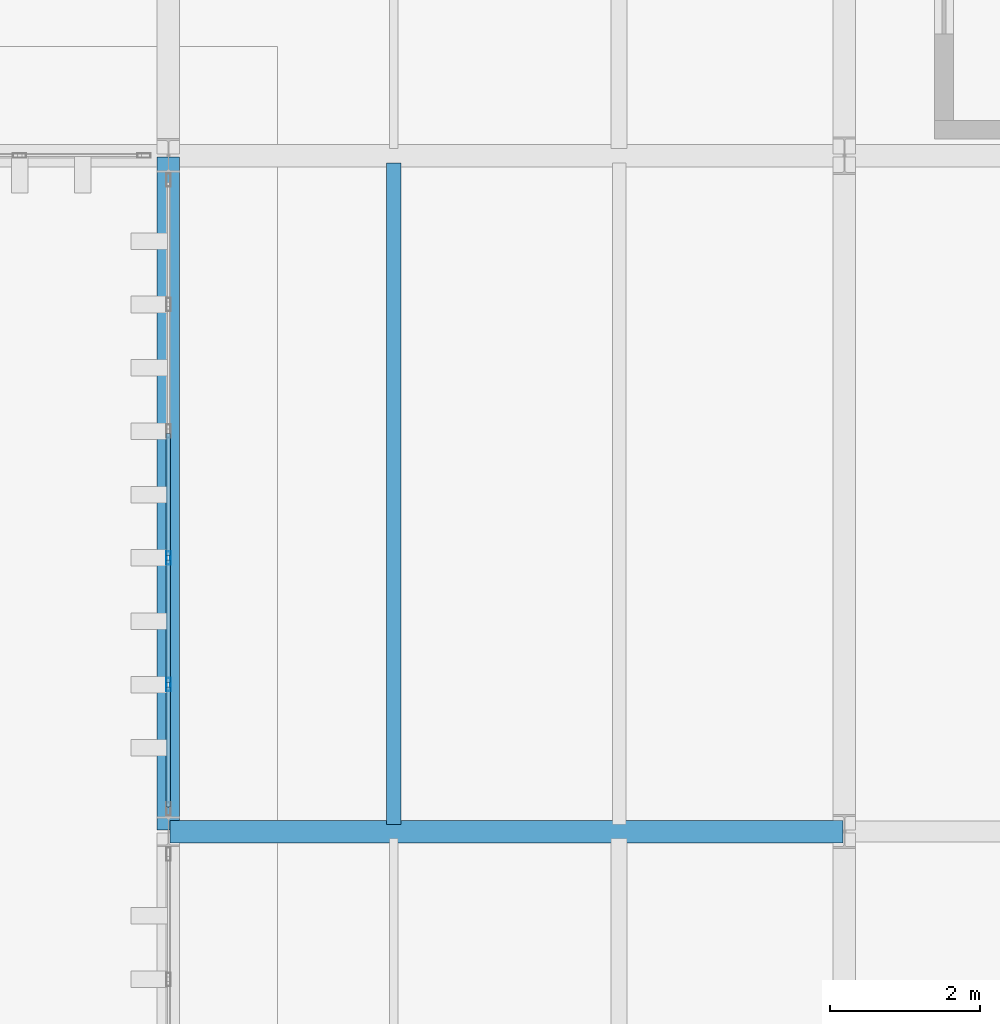
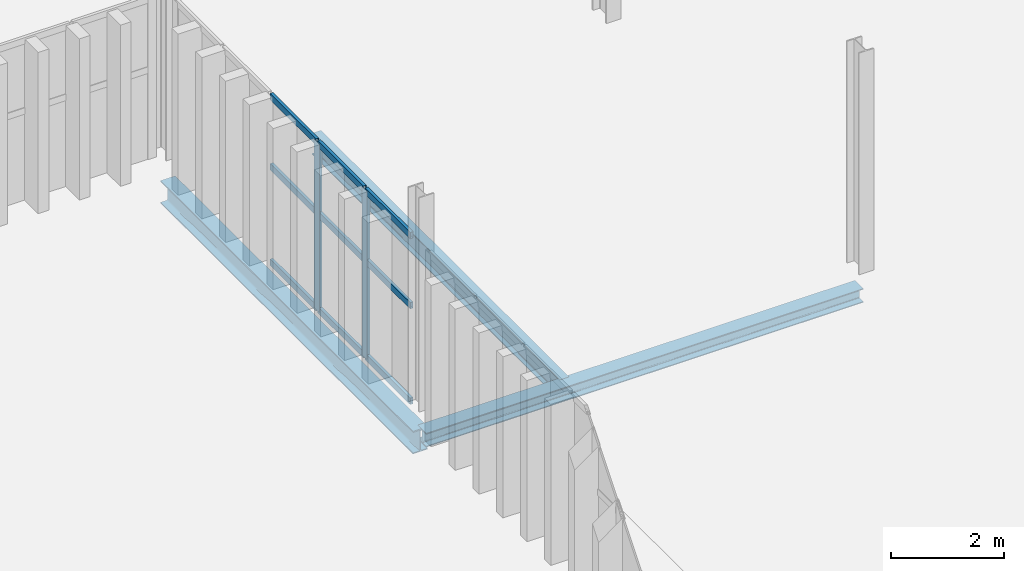
# One storey, part 111 of 196: 11 members, 3 beams, 1 element without a shape of its own.
"""IFC4 building model written with IfcOpenShell, lengths in metres."""

from ifc_helpers import new_model, si_unit, direction, frame, origin, origin_2d, place, context, subcontext, project, spatial, hollow_rectangle, i_section, extrude, material, layer, layer_set, material_profile, profile_set, type_object, element, aggregate, save


model = new_model("IFC4")

# Units and contexts
model_context = context("Model", 3, precision=1e-05, world=origin(), true_north=direction((0.0, 1.0)))
body_context = subcontext(model_context, "Body", "Model", "MODEL_VIEW")
ifc_project = project(units=[si_unit("LENGTHUNIT", "METRE"), si_unit("AREAUNIT", "SQUARE_METRE"), si_unit("VOLUMEUNIT", "CUBIC_METRE"), si_unit("PLANEANGLEUNIT", "RADIAN"), si_unit("MASSUNIT", "GRAM", prefix="KILO")], contexts=[model_context])

# Site, building, storey
site_placement = place(None, origin())
site = spatial("IfcSite", under=ifc_project, at=site_placement, CompositionType="ELEMENT")
building_placement = place(site_placement, origin())
building = spatial("IfcBuilding", under=site, at=building_placement, Name="Barlavento Convention Centre", CompositionType="ELEMENT")
storey_placement = place(building_placement, frame((0.0, 0.0, 18.0)))
storey = spatial("IfcBuildingStorey", under=building, at=storey_placement, Name="L03", CompositionType="ELEMENT", Elevation=18.0)

# Curtain wall, members
ifc_material_1 = material(Name="Powder-coated aluminium and Low-E glass", Category="aluminium")
ifc_layer = layer(ifc_material_1, 0.179931640625)
ifc_layer_set = layer_set([ifc_layer], Name="ARC-CW-CONF-L03")
curtain_wall_type = type_object("IfcCurtainWallType", Name="ARC-CW-CONF-L03", PredefinedType="NOTDEFINED", material=ifc_layer_set)
curtain_wall_placement = place(storey_placement, origin())
curtain_wall = element("IfcCurtainWall", 1, at=curtain_wall_placement, inside=storey, type_object=curtain_wall_type, Name="L03 unitised curtain wall CW08", PredefinedType="NOTDEFINED")
ifc_material_2 = material(Name="Powder-coated aluminium", Category="aluminium")
ifc_material_profile_1 = material_profile(ifc_material_2, hollow_rectangle(XDim=0.06005859375, YDim=0.179931640625, WallThickness=0.0048828125, at=origin_2d()), Name="AL-MULL 60x180x5")
ifc_profile_set_1 = profile_set([ifc_material_profile_1], Name="Powder-coated aluminium")
member_type_1 = type_object("IfcMemberType", Name="ARC-CWM-60X180", PredefinedType="MULLION", material=ifc_profile_set_1)
member_1_placement = place(storey_placement, frame((171.0, 28.95703125, 0.0), z_axis=(0.0, 0.0, 1.0), x_axis=(-1.0, 0.0, 0.0)))
member_1 = element("IfcMember", 2, at=member_1_placement, type_object=member_type_1, Name="CW08 mullion 2", PredefinedType="MULLION", context=body_context, shape_type="SweptSolid", body=[
    extrude(hollow_rectangle(XDim=0.06005859375, YDim=0.179931640625, WallThickness=0.0048828125, at=origin_2d()), origin(), (0.0, 0.0, 1.0), 3.64990234375),
])
member_2_placement = place(storey_placement, frame((171.0, 30.64404296875, 0.0), z_axis=(0.0, 0.0, 1.0), x_axis=(-1.0, 0.0, 0.0)))
member_2 = element("IfcMember", 3, at=member_2_placement, type_object=member_type_1, Name="CW08 mullion 3", PredefinedType="MULLION", context=body_context, shape_type="SweptSolid", body=[
    extrude(hollow_rectangle(XDim=0.06005859375, YDim=0.179931640625, WallThickness=0.0048828125, at=origin_2d()), origin(), (0.0, 0.0, 1.0), 3.64990234375),
])
ifc_material_profile_2 = material_profile(ifc_material_2, hollow_rectangle(XDim=0.06005859375, YDim=0.139892578125, WallThickness=0.00390625, at=origin_2d()), Name="AL-TRAN 60x140x4")
ifc_profile_set_2 = profile_set([ifc_material_profile_2], Name="Powder-coated aluminium")
member_type_2 = type_object("IfcMemberType", Name="ARC-CWT-60X140", PredefinedType="USERDEFINED", material=ifc_profile_set_2)
member_3_placement = place(storey_placement, frame((171.0, 27.330078125, 0.030029296875), z_axis=(0.0, 1.0, 0.0), x_axis=(-1.0, 0.0, 0.0)))
member_3 = element("IfcMember", 4, at=member_3_placement, type_object=member_type_2, Name="CW08 transom 1.1", ObjectType="TRANSOM", PredefinedType="USERDEFINED", context=body_context, shape_type="SweptSolid", body=[
    extrude(hollow_rectangle(XDim=0.06005859375, YDim=0.139892578125, WallThickness=0.00390625, at=origin_2d()), origin(), (0.0, 0.0, 1.0), 1.596923828125),
])
member_4_placement = place(storey_placement, frame((171.0, 27.330078125, 2.10009765625), z_axis=(0.0, 1.0, 0.0), x_axis=(-1.0, 0.0, 0.0)))
member_4 = element("IfcMember", 5, at=member_4_placement, type_object=member_type_2, Name="CW08 transom 1.2", ObjectType="TRANSOM", PredefinedType="USERDEFINED", context=body_context, shape_type="SweptSolid", body=[
    extrude(hollow_rectangle(XDim=0.06005859375, YDim=0.139892578125, WallThickness=0.00390625, at=origin_2d()), origin(), (0.0, 0.0, 1.0), 1.596923828125),
])
member_5_placement = place(storey_placement, frame((171.0, 27.330078125, 3.6201171875), z_axis=(0.0, 1.0, 0.0), x_axis=(-1.0, 0.0, 0.0)))
member_5 = element("IfcMember", 6, at=member_5_placement, type_object=member_type_2, Name="CW08 transom 1.3", ObjectType="TRANSOM", PredefinedType="USERDEFINED", context=body_context, shape_type="SweptSolid", body=[
    extrude(hollow_rectangle(XDim=0.06005859375, YDim=0.139892578125, WallThickness=0.00390625, at=origin_2d()), origin(), (0.0, 0.0, 1.0), 1.596923828125),
])
member_6_placement = place(storey_placement, frame((171.0, 28.987060546875, 0.030029296875), z_axis=(0.0, 1.0, 0.0), x_axis=(-1.0, 0.0, 0.0)))
member_6 = element("IfcMember", 7, at=member_6_placement, type_object=member_type_2, Name="CW08 transom 2.1", ObjectType="TRANSOM", PredefinedType="USERDEFINED", context=body_context, shape_type="SweptSolid", body=[
    extrude(hollow_rectangle(XDim=0.06005859375, YDim=0.139892578125, WallThickness=0.00390625, at=origin_2d()), origin(), (0.0, 0.0, 1.0), 1.626953125),
])
member_7_placement = place(storey_placement, frame((171.0, 28.987060546875, 2.10009765625), z_axis=(0.0, 1.0, 0.0), x_axis=(-1.0, 0.0, 0.0)))
member_7 = element("IfcMember", 8, at=member_7_placement, type_object=member_type_2, Name="CW08 transom 2.2", ObjectType="TRANSOM", PredefinedType="USERDEFINED", context=body_context, shape_type="SweptSolid", body=[
    extrude(hollow_rectangle(XDim=0.06005859375, YDim=0.139892578125, WallThickness=0.00390625, at=origin_2d()), origin(), (0.0, 0.0, 1.0), 1.626953125),
])
member_8_placement = place(storey_placement, frame((171.0, 28.987060546875, 3.6201171875), z_axis=(0.0, 1.0, 0.0), x_axis=(-1.0, 0.0, 0.0)))
member_8 = element("IfcMember", 9, at=member_8_placement, type_object=member_type_2, Name="CW08 transom 2.3", ObjectType="TRANSOM", PredefinedType="USERDEFINED", context=body_context, shape_type="SweptSolid", body=[
    extrude(hollow_rectangle(XDim=0.06005859375, YDim=0.139892578125, WallThickness=0.00390625, at=origin_2d()), origin(), (0.0, 0.0, 1.0), 1.626953125),
])
member_9_placement = place(storey_placement, frame((171.0, 30.674072265625, 0.030029296875), z_axis=(0.0, 1.0, 0.0), x_axis=(-1.0, 0.0, 0.0)))
member_9 = element("IfcMember", 10, at=member_9_placement, type_object=member_type_2, Name="CW08 transom 3.1", ObjectType="TRANSOM", PredefinedType="USERDEFINED", context=body_context, shape_type="SweptSolid", body=[
    extrude(hollow_rectangle(XDim=0.06005859375, YDim=0.139892578125, WallThickness=0.00390625, at=origin_2d()), origin(), (0.0, 0.0, 1.0), 1.626953125),
])
member_10_placement = place(storey_placement, frame((171.0, 30.674072265625, 2.10009765625), z_axis=(0.0, 1.0, 0.0), x_axis=(-1.0, 0.0, 0.0)))
member_10 = element("IfcMember", 11, at=member_10_placement, type_object=member_type_2, Name="CW08 transom 3.2", ObjectType="TRANSOM", PredefinedType="USERDEFINED", context=body_context, shape_type="SweptSolid", body=[
    extrude(hollow_rectangle(XDim=0.06005859375, YDim=0.139892578125, WallThickness=0.00390625, at=origin_2d()), origin(), (0.0, 0.0, 1.0), 1.626953125),
])
member_11_placement = place(storey_placement, frame((171.0, 30.674072265625, 3.6201171875), z_axis=(0.0, 1.0, 0.0), x_axis=(-1.0, 0.0, 0.0)))
member_11 = element("IfcMember", 12, at=member_11_placement, type_object=member_type_2, Name="CW08 transom 3.3", ObjectType="TRANSOM", PredefinedType="USERDEFINED", context=body_context, shape_type="SweptSolid", body=[
    extrude(hollow_rectangle(XDim=0.06005859375, YDim=0.139892578125, WallThickness=0.00390625, at=origin_2d()), origin(), (0.0, 0.0, 1.0), 1.626953125),
])
aggregate(curtain_wall, [member_1, member_2, member_3, member_4, member_5, member_6, member_7, member_8, member_9, member_10, member_11])

# Beams
ifc_material_3 = material(Name="Steel S355", Category="steel")
ifc_material_profile_3 = material_profile(ifc_material_3, i_section(OverallWidth=0.18994140625, OverallDepth=0.449951171875, WebThickness=0.009521484375, FlangeThickness=0.0146484375, FilletRadius=0.02099609375, at=origin_2d()), Name="IPE 450")
ifc_profile_set_3 = profile_set([ifc_material_profile_3], Name="Steel S355")
beam_type_1 = type_object("IfcBeamType", Name="STR-BM-JST-IPE450", PredefinedType="JOIST", material=ifc_profile_set_3)
beam_1_placement = place(storey_placement, frame((174.0, 27.094970703125, -0.614990234375), z_axis=(0.0, 1.0, 0.0), x_axis=(-1.0, 0.0, 0.0)))
element("IfcBeam", 13, at=beam_1_placement, inside=storey, type_object=beam_type_1, Name="L03 composite floor joist SJ03", PredefinedType="JOIST", context=body_context, shape_type="SweptSolid", body=[
    extrude(i_section(OverallWidth=0.18994140625, OverallDepth=0.449951171875, WebThickness=0.009521484375, FlangeThickness=0.0146484375, FilletRadius=0.02099609375, at=origin_2d()), origin(), (0.0, 0.0, 1.0), 8.81005859375),
])
ifc_material_profile_4 = material_profile(ifc_material_3, i_section(OverallWidth=0.300048828125, OverallDepth=0.489990234375, WebThickness=0.011962890625, FlangeThickness=0.02294921875, FilletRadius=0.027099609375, at=origin_2d()), Name="HEA 500")
ifc_profile_set_4 = profile_set([ifc_material_profile_4], Name="Steel S355")
beam_type_2 = type_object("IfcBeamType", Name="STR-BM-PRI-HEA500", PredefinedType="BEAM", material=ifc_profile_set_4)
beam_2_placement = place(storey_placement, frame((171.0, 27.02001953125, -0.635009765625), z_axis=(0.0, 1.0, 0.0), x_axis=(-1.0, 0.0, 0.0)))
element("IfcBeam", 14, at=beam_2_placement, inside=storey, type_object=beam_type_2, Name="L03 grid girder BG20", PredefinedType="BEAM", context=body_context, shape_type="SweptSolid", body=[
    extrude(i_section(OverallWidth=0.300048828125, OverallDepth=0.489990234375, WebThickness=0.011962890625, FlangeThickness=0.02294921875, FilletRadius=0.027099609375, at=origin_2d()), origin(), (0.0, 0.0, 1.0), 8.9599609375),
])
ifc_material_profile_5 = material_profile(ifc_material_3, i_section(OverallWidth=0.300048828125, OverallDepth=0.300048828125, WebThickness=0.010986328125, FlangeThickness=0.01904296875, FilletRadius=0.027099609375, at=origin_2d()), Name="HEB 300")
ifc_profile_set_5 = profile_set([ifc_material_profile_5], Name="Steel S355")
beam_type_3 = type_object("IfcBeamType", Name="STR-BM-PRI-HEB300", PredefinedType="BEAM", material=ifc_profile_set_5)
beam_3_placement = place(storey_placement, frame((171.02001953125, 27.0, -0.5400390625), z_axis=(1.0, 0.0, 0.0), x_axis=(0.0, 1.0, 0.0)))
element("IfcBeam", 15, at=beam_3_placement, inside=storey, type_object=beam_type_3, Name="L03 primary girder BG14", PredefinedType="BEAM", context=body_context, shape_type="SweptSolid", body=[
    extrude(i_section(OverallWidth=0.300048828125, OverallDepth=0.300048828125, WebThickness=0.010986328125, FlangeThickness=0.01904296875, FilletRadius=0.027099609375, at=origin_2d()), origin(), (0.0, 0.0, 1.0), 8.9599609375),
])

save(model, "model.ifc")
